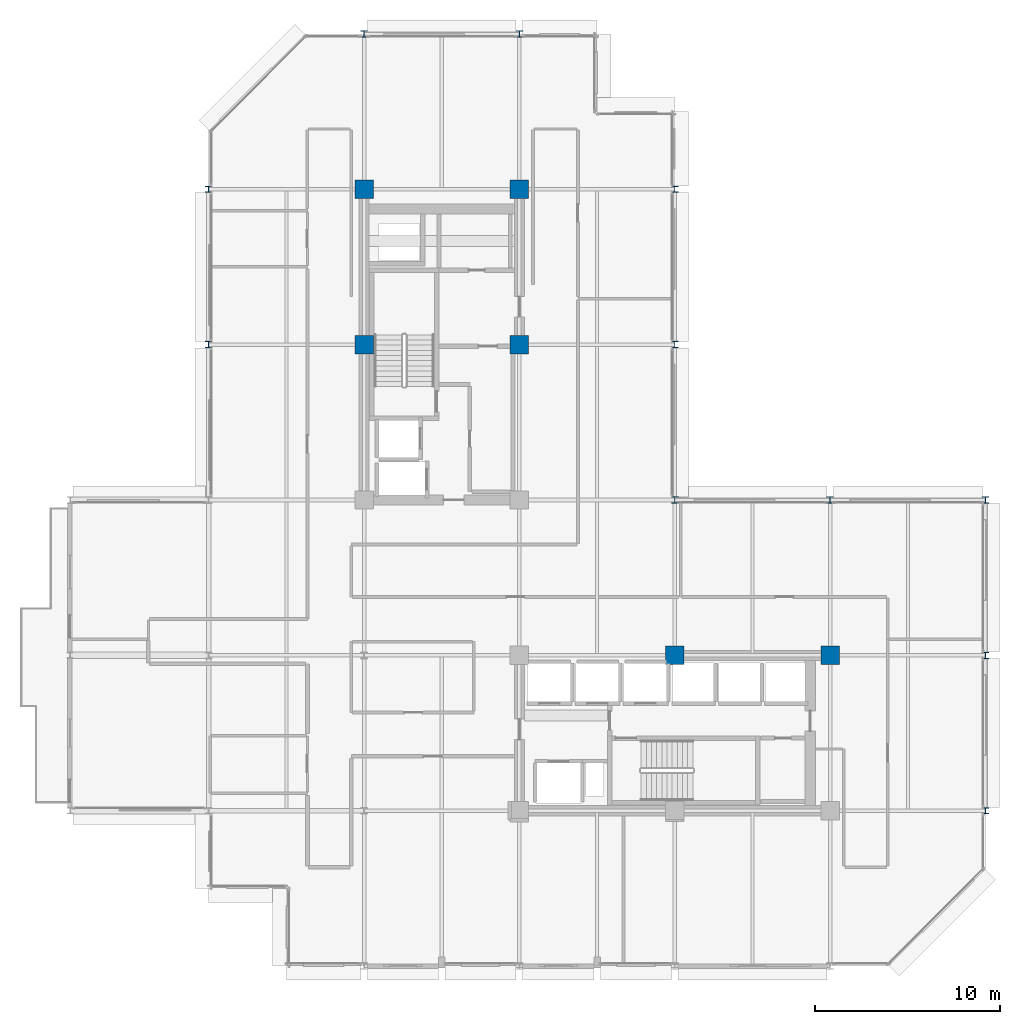
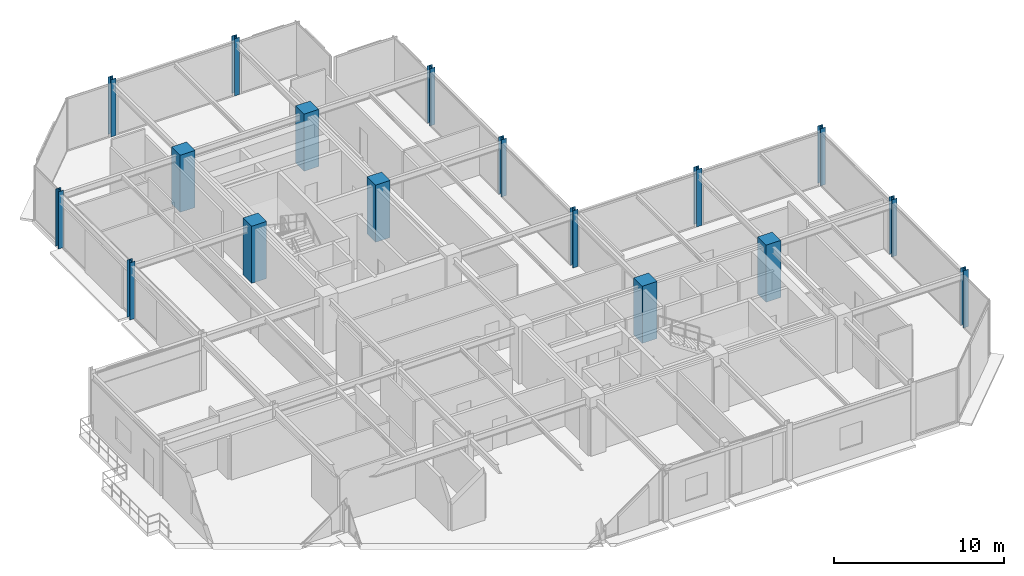
# One storey, part 2 of 29: 17 columns.
"""IFC4 building model written with IfcOpenShell, lengths in metres."""

from ifc_helpers import new_model, si_unit, direction, frame, origin, origin_2d, place, context, subcontext, project, spatial, rectangle, i_section, extrude, material, material_profile, profile_set, type_object, element, save


model = new_model("IFC4")

# Units and contexts
model_context = context("Model", 3, precision=1e-05, world=origin(), true_north=direction((0.0, 1.0)))
body_context = subcontext(model_context, "Body", "Model", "MODEL_VIEW")
ifc_project = project(units=[si_unit("LENGTHUNIT", "METRE"), si_unit("AREAUNIT", "SQUARE_METRE"), si_unit("VOLUMEUNIT", "CUBIC_METRE"), si_unit("PLANEANGLEUNIT", "RADIAN"), si_unit("MASSUNIT", "GRAM", prefix="KILO")], contexts=[model_context])

# Site, building, storey
site_placement = place(None, origin())
site = spatial("IfcSite", under=ifc_project, at=site_placement, CompositionType="ELEMENT")
building_placement = place(site_placement, origin())
building = spatial("IfcBuilding", under=site, at=building_placement, Name="Nerrivon Quay Data Exchange", CompositionType="ELEMENT")
storey_placement = place(building_placement, frame((0.0, 0.0, 204.199951171875)))
storey = spatial("IfcBuildingStorey", under=building, at=storey_placement, Name="L48", CompositionType="ELEMENT", Elevation=204.199951171875)

# Columns
ifc_material_1 = material(Name="Concrete S65 (65 MPa)", Category="concrete")
ifc_material_profile_1 = material_profile(ifc_material_1, rectangle(XDim=1.0, YDim=1.0, at=origin_2d()), Name="RC-COL-1000x1000")
ifc_profile_set_1 = profile_set([ifc_material_profile_1], Name="Concrete S65 (65 MPa)")
column_type_1 = type_object("IfcColumnType", Name="COL-C4-1000", PredefinedType="COLUMN", material=ifc_profile_set_1)
for number, where, z_axis, x_axis, name in (
    (1, (8.39990234375, 33.60009765625, 0.0), (0.0, 0.0, 1.0), (1.0, 0.0, 0.0), "L48 Column (8.4,33.6)"),
    (2, (8.39990234375, 42.0, 0.0), (0.0, 0.0, 1.0), (1.0, 0.0, 0.0), "L48 Column (8.4,42.0)"),
    (3, (16.800048828125, 33.60009765625, 0.0), (0.0, 0.0, 1.0), (1.0, 0.0, 0.0), "L48 Column (16.8,33.6)"),
    (4, (16.800048828125, 42.0, 0.0), (0.0, 0.0, 1.0), (1.0, 0.0, 0.0), "L48 Column (16.8,42.0)"),
    (5, (25.199951171875, 16.800048828125, 0.0), (0.0, 0.0, 1.0), (1.0, 0.0, 0.0), "L48 Column (25.2,16.8)"),
    (6, (33.60009765625, 16.800048828125, 0.0), (0.0, 0.0, 1.0), (1.0, 0.0, 0.0), "L48 Column (33.6,16.8)"),
):
    element("IfcColumn", number, at=place(storey_placement, frame(where, z_axis=z_axis, x_axis=x_axis)), inside=storey, type_object=column_type_1, Name=name, PredefinedType="COLUMN", context=body_context, shape_type="SweptSolid", body=[
        extrude(rectangle(XDim=1.0, YDim=1.0, at=origin_2d()), origin(), (0.0, 0.0, 1.0), 4.10009765625),
    ])
ifc_material_2 = material(Name="Steel Grade 350", Category="steel")
ifc_material_profile_2 = material_profile(ifc_material_2, i_section(OverallWidth=0.35009765625, OverallDepth=0.35009765625, WebThickness=0.02001953125, FlangeThickness=0.031982421875, at=origin_2d()), Name="350WC230")
ifc_profile_set_2 = profile_set([ifc_material_profile_2], Name="Steel Grade 350")
column_type_2 = type_object("IfcColumnType", Name="COL-SC3-350WC", PredefinedType="COLUMN", material=ifc_profile_set_2)
for number, where, z_axis, x_axis, name in (
    (7, (0.0, 33.60009765625, 0.0), (0.0, 0.0, 1.0), (1.0, 0.0, 0.0), "L48 Column (0.0,33.6)"),
    (8, (0.0, 42.0, 0.0), (0.0, 0.0, 1.0), (1.0, 0.0, 0.0), "L48 Column (0.0,42.0)"),
    (9, (8.39990234375, 50.39990234375, 0.0), (0.0, 0.0, 1.0), (1.0, 0.0, 0.0), "L48 Column (8.4,50.4)"),
    (10, (16.800048828125, 50.39990234375, 0.0), (0.0, 0.0, 1.0), (1.0, 0.0, 0.0), "L48 Column (16.8,50.4)"),
    (11, (25.199951171875, 25.199951171875, 0.0), (0.0, 0.0, 1.0), (1.0, 0.0, 0.0), "L48 Column (25.2,25.2)"),
    (12, (25.199951171875, 33.60009765625, 0.0), (0.0, 0.0, 1.0), (1.0, 0.0, 0.0), "L48 Column (25.2,33.6)"),
    (13, (25.199951171875, 42.0, 0.0), (0.0, 0.0, 1.0), (1.0, 0.0, 0.0), "L48 Column (25.2,42.0)"),
    (14, (33.60009765625, 25.199951171875, 0.0), (0.0, 0.0, 1.0), (1.0, 0.0, 0.0), "L48 Column (33.6,25.2)"),
    (15, (42.0, 8.39990234375, 0.0), (0.0, 0.0, 1.0), (1.0, 0.0, 0.0), "L48 Column (42.0,8.4)"),
    (16, (42.0, 16.800048828125, 0.0), (0.0, 0.0, 1.0), (1.0, 0.0, 0.0), "L48 Column (42.0,16.8)"),
    (17, (42.0, 25.199951171875, 0.0), (0.0, 0.0, 1.0), (1.0, 0.0, 0.0), "L48 Column (42.0,25.2)"),
):
    element("IfcColumn", number, at=place(storey_placement, frame(where, z_axis=z_axis, x_axis=x_axis)), inside=storey, type_object=column_type_2, Name=name, PredefinedType="COLUMN", context=body_context, shape_type="SweptSolid", body=[
        extrude(i_section(OverallWidth=0.35009765625, OverallDepth=0.35009765625, WebThickness=0.02001953125, FlangeThickness=0.031982421875, at=origin_2d()), origin(), (0.0, 0.0, 1.0), 4.10009765625),
    ])

save(model, "model.ifc")
